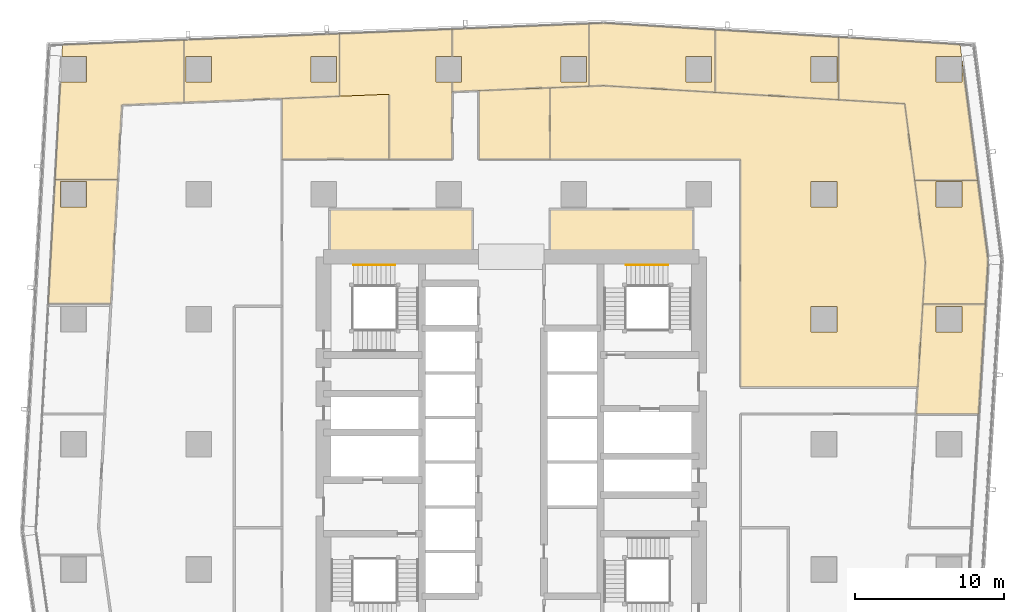
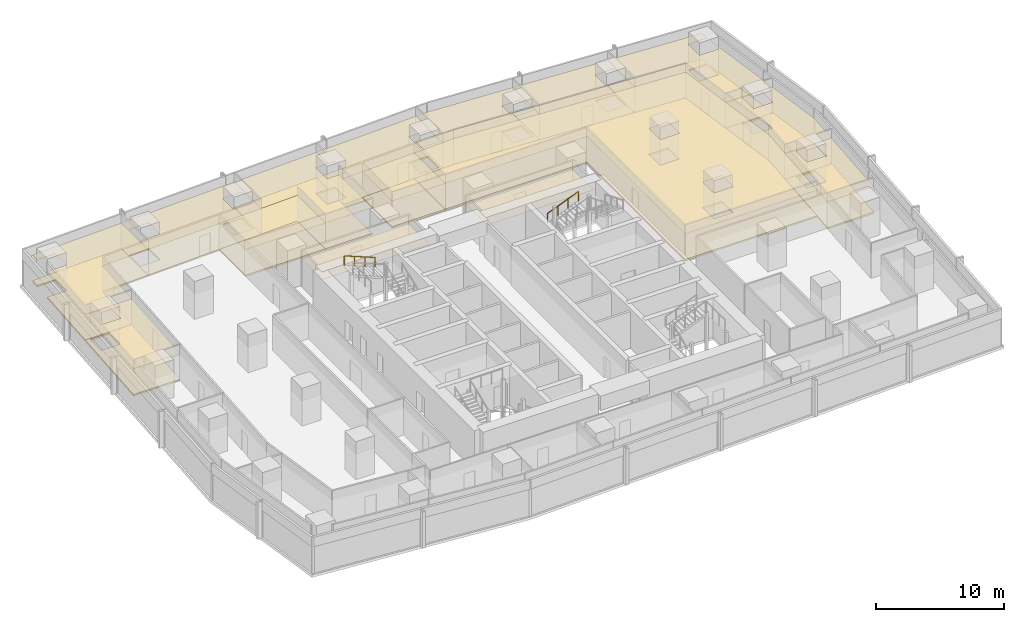
# One storey, part 40 of 40: 28 coverings, 2 railings.
"""IFC4 building model written with IfcOpenShell, lengths in metres."""

from ifc_helpers import new_model, si_unit, direction, frame, origin, origin_2d, place, context, subcontext, project, spatial, polyline, circle, outline, extrude, material, layer, layer_set, type_object, element, save


model = new_model("IFC4")

# Units and contexts
model_context = context("Model", 3, precision=1e-05, world=origin(), true_north=direction((0.0, 1.0)))
body_context = subcontext(model_context, "Body", "Model", "MODEL_VIEW")
ifc_project = project(units=[si_unit("LENGTHUNIT", "METRE"), si_unit("AREAUNIT", "SQUARE_METRE"), si_unit("VOLUMEUNIT", "CUBIC_METRE"), si_unit("PLANEANGLEUNIT", "RADIAN"), si_unit("MASSUNIT", "GRAM", prefix="KILO")], contexts=[model_context])

# Site, building, storey
site_placement = place(None, origin())
site = spatial("IfcSite", under=ifc_project, at=site_placement, CompositionType="ELEMENT")
building_placement = place(site_placement, origin())
building = spatial("IfcBuilding", under=site, at=building_placement, Name="Rekha Terrace Tower", CompositionType="ELEMENT")
storey_placement = place(building_placement, frame((0.0, 0.0, 125.300048828125)))
storey = spatial("IfcBuildingStorey", under=building, at=storey_placement, Name="L31", CompositionType="ELEMENT", Elevation=125.300048828125)

# Coverings
ifc_material_1 = material(Name="Mineral fibre tile in exposed grid", Category="finish")
ifc_layer_1 = layer(ifc_material_1, 0.02001953125)
ifc_layer_set_1 = layer_set([ifc_layer_1], Name="Mineral fibre tile in exposed grid")
covering_type_1 = type_object("IfcCoveringType", Name="CL1 600x1200 office grid ceiling", PredefinedType="CEILING", material=ifc_layer_set_1)
covering_1_placement = place(storey_placement, frame((0.0, 0.0, 2.579833984375)))
element("IfcCovering", 1, at=covering_1_placement, inside=storey, type_object=covering_type_1, Name="Ceiling L31-03", PredefinedType="CEILING", context=body_context, shape_type="SweptSolid", body=[
    extrude(outline(polyline([(69.655029296875, 43.011962890625), (65.447021484375, 43.011962890625), (65.06396484375, 36.760009765625), (64.9951171875, 35.634033203125), (69.202880859375, 35.634033203125), (69.655029296875, 43.011962890625)]), holes=[polyline([(68.06494140625, 41.135009765625), (66.3349609375, 41.135009765625), (66.3349609375, 42.864990234375), (68.06494140625, 42.864990234375), (68.06494140625, 41.135009765625)])]), origin(), (0.0, 0.0, 1.0), 0.02001953125),
])
covering_2_placement = place(storey_placement, frame((0.0, 0.0, 2.579833984375)))
element("IfcCovering", 2, at=covering_2_placement, inside=storey, type_object=covering_type_1, Name="Ceiling L31-04", PredefinedType="CEILING", context=body_context, shape_type="SweptSolid", body=[
    extrude(outline(polyline([(69.8359375, 45.971923828125), (69.136962890625, 51.337890625), (64.902099609375, 51.337890625), (65.618896484375, 45.827880859375), (65.447021484375, 43.012939453125), (69.655029296875, 43.012939453125), (69.8359375, 45.971923828125)]), holes=[polyline([(68.06494140625, 49.534912109375), (66.3349609375, 49.534912109375), (66.3349609375, 51.264892578125), (68.06494140625, 51.264892578125), (68.06494140625, 49.534912109375)])]), origin(), (0.0, 0.0, 1.0), 0.02001953125),
])
covering_3_placement = place(storey_placement, frame((0.0, 0.0, 2.579833984375)))
element("IfcCovering", 3, at=covering_3_placement, inside=storey, type_object=covering_type_1, Name="Ceiling L31-05", PredefinedType="CEILING", context=body_context, shape_type="SweptSolid", body=[
    extrude(outline(polyline([(67.948974609375, 60.462890625), (59.7880859375, 60.952880859375), (59.7880859375, 56.74609375), (64.23193359375, 56.47900390625), (64.902099609375, 51.339111328125), (69.136962890625, 51.339111328125), (68.0849609375, 59.416015625), (68.06494140625, 59.4150390625), (68.06494140625, 57.93505859375), (66.3349609375, 57.93505859375), (66.3349609375, 59.6650390625), (68.052978515625, 59.6650390625), (67.948974609375, 60.462890625)])), origin(), (0.0, 0.0, 1.0), 0.02001953125),
])
covering_4_placement = place(storey_placement, frame((0.0, 0.0, 2.579833984375)))
element("IfcCovering", 4, at=covering_4_placement, inside=storey, type_object=covering_type_1, Name="Ceiling L31-06", PredefinedType="CEILING", context=body_context, shape_type="SweptSolid", body=[
    extrude(outline(polyline([(59.787109375, 56.74609375), (59.787109375, 60.9541015625), (51.4951171875, 61.451904296875), (51.4951171875, 57.243896484375), (59.787109375, 56.74609375)]), holes=[polyline([(59.6650390625, 57.93505859375), (57.93505859375, 57.93505859375), (57.93505859375, 59.6650390625), (59.6650390625, 59.6650390625), (59.6650390625, 57.93505859375)])]), origin(), (0.0, 0.0, 1.0), 0.02001953125),
])
covering_5_placement = place(storey_placement, frame((0.0, 0.0, 2.579833984375)))
element("IfcCovering", 5, at=covering_5_placement, inside=storey, type_object=covering_type_1, Name="Ceiling L31-07", PredefinedType="CEILING", context=body_context, shape_type="SweptSolid", body=[
    extrude(outline(polyline([(44.0380859375, 61.89990234375), (43.02392578125, 61.85888671875), (43.02392578125, 57.656005859375), (43.99609375, 57.695068359375), (51.493896484375, 57.243896484375), (51.493896484375, 61.451904296875), (44.0380859375, 61.89990234375)]), holes=[polyline([(51.264892578125, 57.93505859375), (49.534912109375, 57.93505859375), (49.534912109375, 59.6650390625), (51.264892578125, 59.6650390625), (51.264892578125, 57.93505859375)])]), origin(), (0.0, 0.0, 1.0), 0.02001953125),
])
covering_6_placement = place(storey_placement, frame((0.0, 0.0, 2.579833984375)))
element("IfcCovering", 6, at=covering_6_placement, inside=storey, type_object=covering_type_1, Name="Ceiling L31-08", PredefinedType="CEILING", context=body_context, shape_type="SweptSolid", body=[
    extrude(outline(polyline([(33.827880859375, 57.93505859375), (33.827880859375, 57.287109375), (35.56689453125, 57.35693359375), (35.6259765625, 57.360107421875), (43.02294921875, 57.656005859375), (43.02294921875, 61.85888671875), (33.827880859375, 61.490966796875), (33.827880859375, 59.6650390625), (34.465087890625, 59.6650390625), (34.465087890625, 57.93505859375), (33.827880859375, 57.93505859375)]), holes=[polyline([(42.864990234375, 57.93505859375), (41.135009765625, 57.93505859375), (41.135009765625, 59.6650390625), (42.864990234375, 59.6650390625), (42.864990234375, 57.93505859375)])]), origin(), (0.0, 0.0, 1.0), 0.02001953125),
])
covering_7_placement = place(storey_placement, frame((0.0, 0.0, 2.579833984375)))
element("IfcCovering", 7, at=covering_7_placement, inside=storey, type_object=covering_type_1, Name="Ceiling L31-10", PredefinedType="CEILING", context=body_context, shape_type="SweptSolid", body=[
    extrude(outline(polyline([(26.257080078125, 56.98388671875), (26.257080078125, 61.18701171875), (15.81494140625, 60.76904296875), (15.81494140625, 56.56591796875), (26.257080078125, 56.98388671875)]), holes=[polyline([(26.06494140625, 57.93505859375), (24.3349609375, 57.93505859375), (24.3349609375, 59.6650390625), (26.06494140625, 59.6650390625), (26.06494140625, 57.93505859375)]), polyline([(17.6650390625, 57.93505859375), (15.93505859375, 57.93505859375), (15.93505859375, 59.6650390625), (17.6650390625, 59.6650390625), (17.6650390625, 57.93505859375)])]), origin(), (0.0, 0.0, 1.0), 0.02001953125),
])
covering_8_placement = place(storey_placement, frame((0.0, 0.0, 2.579833984375)))
element("IfcCovering", 8, at=covering_8_placement, inside=storey, type_object=covering_type_1, Name="Ceiling L31-11", PredefinedType="CEILING", context=body_context, shape_type="SweptSolid", body=[
    extrude(outline(polyline([(7.51611328125, 57.93505859375), (7.156005859375, 51.37890625), (11.362060546875, 51.37890625), (11.637939453125, 56.39794921875), (15.81396484375, 56.56591796875), (15.81396484375, 60.76904296875), (7.653076171875, 60.44189453125), (7.610107421875, 59.6650390625), (9.264892578125, 59.6650390625), (9.264892578125, 57.93505859375), (7.51611328125, 57.93505859375)])), origin(), (0.0, 0.0, 1.0), 0.02001953125),
])
covering_9_placement = place(storey_placement, frame((0.0, 0.0, 2.579833984375)))
element("IfcCovering", 9, at=covering_9_placement, inside=storey, type_object=covering_type_1, Name="Ceiling L31-12", PredefinedType="CEILING", context=body_context, shape_type="SweptSolid", body=[
    extrude(outline(polyline([(11.362060546875, 51.3779296875), (7.156005859375, 51.3779296875), (6.698974609375, 43.0458984375), (10.905029296875, 43.0458984375), (11.362060546875, 51.3779296875)]), holes=[polyline([(9.264892578125, 51.264892578125), (9.264892578125, 49.534912109375), (7.534912109375, 49.534912109375), (7.534912109375, 51.264892578125), (9.264892578125, 51.264892578125)])]), origin(), (0.0, 0.0, 1.0), 0.02001953125),
])
covering_10_placement = place(storey_placement, frame((0.0, 0.0, 2.579833984375)))
element("IfcCovering", 10, at=covering_10_placement, inside=storey, type_object=covering_type_1, Name="Ceiling L31-13", PredefinedType="CEILING", context=body_context, shape_type="SweptSolid", body=[
    extrude(outline(polyline([(22.39990234375, 52.75), (29.60009765625, 52.75), (29.60009765625, 57.117919921875), (25.967041015625, 56.971923828125), (22.39990234375, 56.830078125), (22.39990234375, 52.75)])), origin(), (0.0, 0.0, 1.0), 0.02001953125),
])
covering_11_placement = place(storey_placement, frame((0.0, 0.0, 2.579833984375)))
element("IfcCovering", 11, at=covering_11_placement, inside=storey, type_object=covering_type_1, Name="Ceiling L31-14", PredefinedType="CEILING", context=body_context, shape_type="SweptSolid", body=[
    extrude(outline(polyline([(29.60009765625, 52.75), (33.825927734375, 52.75), (33.825927734375, 57.287109375), (33.826904296875, 57.287109375), (33.826904296875, 57.93505859375), (32.735107421875, 57.93505859375), (32.735107421875, 59.6650390625), (33.826904296875, 59.6650390625), (33.826904296875, 61.490966796875), (26.258056640625, 61.18798828125), (26.258056640625, 56.98388671875), (29.60009765625, 57.117919921875), (29.60009765625, 52.75)])), origin(), (0.0, 0.0, 1.0), 0.02001953125),
])
covering_12_placement = place(storey_placement, frame((0.0, 0.0, 2.579833984375)))
element("IfcCovering", 12, at=covering_12_placement, inside=storey, type_object=covering_type_1, Name="Ceiling L31-15", PredefinedType="CEILING", context=body_context, shape_type="SweptSolid", body=[
    extrude(outline(polyline([(40.39990234375, 52.75), (40.39990234375, 57.551025390625), (35.6259765625, 57.360107421875), (35.6259765625, 52.75), (40.39990234375, 52.75)])), origin(), (0.0, 0.0, 1.0), 0.02001953125),
])
covering_13_placement = place(storey_placement, frame((0.0, 0.0, 2.579833984375)))
element("IfcCovering", 13, at=covering_13_placement, inside=storey, type_object=covering_type_1, Name="Ceiling L31-O1", PredefinedType="CEILING", context=body_context, shape_type="SweptSolid", body=[
    extrude(outline(polyline([(43.99609375, 57.695068359375), (43.02392578125, 57.656005859375), (40.39990234375, 57.551025390625), (40.39990234375, 52.75), (53.199951171875, 52.75), (53.199951171875, 37.43701171875), (65.10498046875, 37.43701171875), (65.447021484375, 43.012939453125), (65.618896484375, 45.827880859375), (64.89990234375, 51.35498046875), (64.23193359375, 56.47900390625), (59.787109375, 56.74609375), (51.493896484375, 57.243896484375), (43.99609375, 57.695068359375)]), holes=[polyline([(59.6650390625, 41.135009765625), (57.93505859375, 41.135009765625), (57.93505859375, 42.864990234375), (59.6650390625, 42.864990234375), (59.6650390625, 41.135009765625)]), polyline([(59.6650390625, 49.534912109375), (57.93505859375, 49.534912109375), (57.93505859375, 51.264892578125), (59.6650390625, 51.264892578125), (59.6650390625, 49.534912109375)])]), origin(), (0.0, 0.0, 1.0), 0.02001953125),
])
ifc_material_2 = material(Name="Fibre cement board", Category="finish")
ifc_layer_2 = layer(ifc_material_2, 0.014892578125)
ifc_layer_set_2 = layer_set([ifc_layer_2], Name="Fibre cement board")
covering_type_2 = type_object("IfcCoveringType", Name="CL2 moisture-resistant board ceiling", PredefinedType="CEILING", material=ifc_layer_set_2)
covering_14_placement = place(storey_placement, frame((0.0, 0.0, 2.5849609375)))
element("IfcCovering", 14, at=covering_14_placement, inside=storey, type_object=covering_type_2, Name="Ceiling L31-WCF", PredefinedType="CEILING", context=body_context, shape_type="SweptSolid", body=[
    extrude(outline(polyline([(50.0, 49.39990234375), (40.39990234375, 49.39990234375), (40.39990234375, 46.199951171875), (50.0, 46.199951171875), (50.0, 49.39990234375)])), origin(), (0.0, 0.0, 1.0), 0.014892578125),
])
covering_15_placement = place(storey_placement, frame((0.0, 0.0, 2.5849609375)))
element("IfcCovering", 15, at=covering_15_placement, inside=storey, type_object=covering_type_2, Name="Ceiling L31-WCF2", PredefinedType="CEILING", context=body_context, shape_type="SweptSolid", body=[
    extrude(outline(polyline([(35.199951171875, 49.39990234375), (25.60009765625, 49.39990234375), (25.60009765625, 46.199951171875), (35.199951171875, 46.199951171875), (35.199951171875, 49.39990234375)])), origin(), (0.0, 0.0, 1.0), 0.014892578125),
])

# Railings
ifc_material_3 = material(Name="Stainless steel tube", Category="steel")
railing_type = type_object("IfcRailingType", Name="HR1 900 stair handrail", PredefinedType="HANDRAIL", material=ifc_material_3)
railing_1_placement = place(storey_placement, frame((45.52490234375, 45.639892578125, 1.375)))
element("IfcRailing", 16, at=railing_1_placement, inside=storey, type_object=railing_type, Name="Handrail ST2 L31 flight 2", PredefinedType="HANDRAIL", context=body_context, shape_type="SweptSolid", body=[
    extrude(circle(Radius=0.02392578125, at=origin_2d()), frame((0.0, 0.0, 0.8759765625), z_axis=(0.927443287984, 0.0, 0.373963831907), x_axis=(0.0, 1.0, 0.0)), (0.0, 0.0, 1.0), 3.00830078125),
    extrude(circle(Radius=0.02099609375, at=origin_2d()), origin(), (0.0, 0.0, 1.0), 0.851806640625),
    extrude(circle(Radius=0.02099609375, at=origin_2d()), frame((0.929931640625, 0.0, 0.375)), (0.0, 0.0, 1.0), 0.851806640625),
    extrude(circle(Radius=0.02099609375, at=origin_2d()), frame((1.860107421875, 0.0, 0.75)), (0.0, 0.0, 1.0), 0.851806640625),
    extrude(circle(Radius=0.02099609375, at=origin_2d()), frame((2.7900390625, 0.0, 1.125)), (0.0, 0.0, 1.0), 0.851806640625),
])
railing_2_placement = place(storey_placement, frame((29.989990234375, 45.639892578125, 2.625)))
element("IfcRailing", 17, at=railing_2_placement, inside=storey, type_object=railing_type, Name="Handrail ST4 L31 flight 3", PredefinedType="HANDRAIL", context=body_context, shape_type="SweptSolid", body=[
    extrude(circle(Radius=0.02392578125, at=origin_2d()), frame((0.0, 0.0, 0.8759765625), z_axis=(-0.927443287984, 0.0, 0.373963831907), x_axis=(0.0, -1.0, 0.0)), (0.0, 0.0, 1.0), 3.00830078125),
    extrude(circle(Radius=0.02099609375, at=origin_2d()), origin(), (0.0, 0.0, 1.0), 0.851806640625),
    extrude(circle(Radius=0.02099609375, at=origin_2d()), frame((-0.929931640625, 0.0, 0.375)), (0.0, 0.0, 1.0), 0.851806640625),
    extrude(circle(Radius=0.02099609375, at=origin_2d()), frame((-1.860107421875, 0.0, 0.75)), (0.0, 0.0, 1.0), 0.851806640625),
    extrude(circle(Radius=0.02099609375, at=origin_2d()), frame((-2.7900390625, 0.0, 1.125)), (0.0, 0.0, 1.0), 0.851806640625),
])

# Coverings
ifc_material_4 = material(Name="Calcium sulphate panels on steel pedestals", Category="steel")
ifc_layer_3 = layer(ifc_material_4, 0.14990234375)
ifc_layer_set_3 = layer_set([ifc_layer_3], Name="Calcium sulphate panels on steel pedestals")
covering_type_3 = type_object("IfcCoveringType", Name="RF1 150 raised access floor", PredefinedType="FLOORING", material=ifc_layer_set_3)
covering_16_placement = place(storey_placement, origin())
element("IfcCovering", 18, at=covering_16_placement, inside=storey, type_object=covering_type_3, Name="Raised floor L31-03", PredefinedType="FLOORING", context=body_context, shape_type="SweptSolid", body=[
    extrude(outline(polyline([(69.655029296875, 43.011962890625), (65.447021484375, 43.011962890625), (65.06396484375, 36.760009765625), (64.9951171875, 35.634033203125), (69.202880859375, 35.634033203125), (69.655029296875, 43.011962890625)]), holes=[polyline([(68.06494140625, 41.135009765625), (66.3349609375, 41.135009765625), (66.3349609375, 42.864990234375), (68.06494140625, 42.864990234375), (68.06494140625, 41.135009765625)])]), origin(), (0.0, 0.0, 1.0), 0.14990234375),
])
covering_17_placement = place(storey_placement, origin())
element("IfcCovering", 19, at=covering_17_placement, inside=storey, type_object=covering_type_3, Name="Raised floor L31-04", PredefinedType="FLOORING", context=body_context, shape_type="SweptSolid", body=[
    extrude(outline(polyline([(69.8359375, 45.971923828125), (69.136962890625, 51.337890625), (64.902099609375, 51.337890625), (65.618896484375, 45.827880859375), (65.447021484375, 43.012939453125), (69.655029296875, 43.012939453125), (69.8359375, 45.971923828125)]), holes=[polyline([(68.06494140625, 49.534912109375), (66.3349609375, 49.534912109375), (66.3349609375, 51.264892578125), (68.06494140625, 51.264892578125), (68.06494140625, 49.534912109375)])]), origin(), (0.0, 0.0, 1.0), 0.14990234375),
])
covering_18_placement = place(storey_placement, origin())
element("IfcCovering", 20, at=covering_18_placement, inside=storey, type_object=covering_type_3, Name="Raised floor L31-05", PredefinedType="FLOORING", context=body_context, shape_type="SweptSolid", body=[
    extrude(outline(polyline([(67.948974609375, 60.462890625), (59.7880859375, 60.952880859375), (59.7880859375, 56.74609375), (64.23193359375, 56.47900390625), (64.902099609375, 51.339111328125), (69.136962890625, 51.339111328125), (68.0849609375, 59.416015625), (68.06494140625, 59.4150390625), (68.06494140625, 57.93505859375), (66.3349609375, 57.93505859375), (66.3349609375, 59.6650390625), (68.052978515625, 59.6650390625), (67.948974609375, 60.462890625)])), origin(), (0.0, 0.0, 1.0), 0.14990234375),
])
covering_19_placement = place(storey_placement, origin())
element("IfcCovering", 21, at=covering_19_placement, inside=storey, type_object=covering_type_3, Name="Raised floor L31-06", PredefinedType="FLOORING", context=body_context, shape_type="SweptSolid", body=[
    extrude(outline(polyline([(59.787109375, 56.74609375), (59.787109375, 60.9541015625), (51.4951171875, 61.451904296875), (51.4951171875, 57.243896484375), (59.787109375, 56.74609375)]), holes=[polyline([(59.6650390625, 57.93505859375), (57.93505859375, 57.93505859375), (57.93505859375, 59.6650390625), (59.6650390625, 59.6650390625), (59.6650390625, 57.93505859375)])]), origin(), (0.0, 0.0, 1.0), 0.14990234375),
])
covering_20_placement = place(storey_placement, origin())
element("IfcCovering", 22, at=covering_20_placement, inside=storey, type_object=covering_type_3, Name="Raised floor L31-07", PredefinedType="FLOORING", context=body_context, shape_type="SweptSolid", body=[
    extrude(outline(polyline([(44.0380859375, 61.89990234375), (43.02392578125, 61.85888671875), (43.02392578125, 57.656005859375), (43.99609375, 57.695068359375), (51.493896484375, 57.243896484375), (51.493896484375, 61.451904296875), (44.0380859375, 61.89990234375)]), holes=[polyline([(51.264892578125, 57.93505859375), (49.534912109375, 57.93505859375), (49.534912109375, 59.6650390625), (51.264892578125, 59.6650390625), (51.264892578125, 57.93505859375)])]), origin(), (0.0, 0.0, 1.0), 0.14990234375),
])
covering_21_placement = place(storey_placement, origin())
element("IfcCovering", 23, at=covering_21_placement, inside=storey, type_object=covering_type_3, Name="Raised floor L31-08", PredefinedType="FLOORING", context=body_context, shape_type="SweptSolid", body=[
    extrude(outline(polyline([(33.827880859375, 57.93505859375), (33.827880859375, 57.287109375), (35.56689453125, 57.35693359375), (35.6259765625, 57.360107421875), (43.02294921875, 57.656005859375), (43.02294921875, 61.85888671875), (33.827880859375, 61.490966796875), (33.827880859375, 59.6650390625), (34.465087890625, 59.6650390625), (34.465087890625, 57.93505859375), (33.827880859375, 57.93505859375)]), holes=[polyline([(42.864990234375, 57.93505859375), (41.135009765625, 57.93505859375), (41.135009765625, 59.6650390625), (42.864990234375, 59.6650390625), (42.864990234375, 57.93505859375)])]), origin(), (0.0, 0.0, 1.0), 0.14990234375),
])
covering_22_placement = place(storey_placement, origin())
element("IfcCovering", 24, at=covering_22_placement, inside=storey, type_object=covering_type_3, Name="Raised floor L31-10", PredefinedType="FLOORING", context=body_context, shape_type="SweptSolid", body=[
    extrude(outline(polyline([(26.257080078125, 56.98388671875), (26.257080078125, 61.18701171875), (15.81494140625, 60.76904296875), (15.81494140625, 56.56591796875), (26.257080078125, 56.98388671875)]), holes=[polyline([(26.06494140625, 57.93505859375), (24.3349609375, 57.93505859375), (24.3349609375, 59.6650390625), (26.06494140625, 59.6650390625), (26.06494140625, 57.93505859375)]), polyline([(17.6650390625, 57.93505859375), (15.93505859375, 57.93505859375), (15.93505859375, 59.6650390625), (17.6650390625, 59.6650390625), (17.6650390625, 57.93505859375)])]), origin(), (0.0, 0.0, 1.0), 0.14990234375),
])
covering_23_placement = place(storey_placement, origin())
element("IfcCovering", 25, at=covering_23_placement, inside=storey, type_object=covering_type_3, Name="Raised floor L31-11", PredefinedType="FLOORING", context=body_context, shape_type="SweptSolid", body=[
    extrude(outline(polyline([(7.51611328125, 57.93505859375), (7.156005859375, 51.37890625), (11.362060546875, 51.37890625), (11.637939453125, 56.39794921875), (15.81396484375, 56.56591796875), (15.81396484375, 60.76904296875), (7.653076171875, 60.44189453125), (7.610107421875, 59.6650390625), (9.264892578125, 59.6650390625), (9.264892578125, 57.93505859375), (7.51611328125, 57.93505859375)])), origin(), (0.0, 0.0, 1.0), 0.14990234375),
])
covering_24_placement = place(storey_placement, origin())
element("IfcCovering", 26, at=covering_24_placement, inside=storey, type_object=covering_type_3, Name="Raised floor L31-12", PredefinedType="FLOORING", context=body_context, shape_type="SweptSolid", body=[
    extrude(outline(polyline([(11.362060546875, 51.3779296875), (7.156005859375, 51.3779296875), (6.698974609375, 43.0458984375), (10.905029296875, 43.0458984375), (11.362060546875, 51.3779296875)]), holes=[polyline([(9.264892578125, 51.264892578125), (9.264892578125, 49.534912109375), (7.534912109375, 49.534912109375), (7.534912109375, 51.264892578125), (9.264892578125, 51.264892578125)])]), origin(), (0.0, 0.0, 1.0), 0.14990234375),
])
covering_25_placement = place(storey_placement, origin())
element("IfcCovering", 27, at=covering_25_placement, inside=storey, type_object=covering_type_3, Name="Raised floor L31-13", PredefinedType="FLOORING", context=body_context, shape_type="SweptSolid", body=[
    extrude(outline(polyline([(22.39990234375, 52.75), (29.60009765625, 52.75), (29.60009765625, 57.117919921875), (25.967041015625, 56.971923828125), (22.39990234375, 56.830078125), (22.39990234375, 52.75)])), origin(), (0.0, 0.0, 1.0), 0.14990234375),
])
covering_26_placement = place(storey_placement, origin())
element("IfcCovering", 28, at=covering_26_placement, inside=storey, type_object=covering_type_3, Name="Raised floor L31-14", PredefinedType="FLOORING", context=body_context, shape_type="SweptSolid", body=[
    extrude(outline(polyline([(29.60009765625, 52.75), (33.825927734375, 52.75), (33.825927734375, 57.287109375), (33.826904296875, 57.287109375), (33.826904296875, 57.93505859375), (32.735107421875, 57.93505859375), (32.735107421875, 59.6650390625), (33.826904296875, 59.6650390625), (33.826904296875, 61.490966796875), (26.258056640625, 61.18798828125), (26.258056640625, 56.98388671875), (29.60009765625, 57.117919921875), (29.60009765625, 52.75)])), origin(), (0.0, 0.0, 1.0), 0.14990234375),
])
covering_27_placement = place(storey_placement, origin())
element("IfcCovering", 29, at=covering_27_placement, inside=storey, type_object=covering_type_3, Name="Raised floor L31-15", PredefinedType="FLOORING", context=body_context, shape_type="SweptSolid", body=[
    extrude(outline(polyline([(40.39990234375, 52.75), (40.39990234375, 57.551025390625), (35.6259765625, 57.360107421875), (35.6259765625, 52.75), (40.39990234375, 52.75)])), origin(), (0.0, 0.0, 1.0), 0.14990234375),
])
covering_28_placement = place(storey_placement, origin())
element("IfcCovering", 30, at=covering_28_placement, inside=storey, type_object=covering_type_3, Name="Raised floor L31-O1", PredefinedType="FLOORING", context=body_context, shape_type="SweptSolid", body=[
    extrude(outline(polyline([(43.99609375, 57.695068359375), (43.02392578125, 57.656005859375), (40.39990234375, 57.551025390625), (40.39990234375, 52.75), (53.199951171875, 52.75), (53.199951171875, 37.43701171875), (65.10498046875, 37.43701171875), (65.447021484375, 43.012939453125), (65.618896484375, 45.827880859375), (64.89990234375, 51.35498046875), (64.23193359375, 56.47900390625), (59.787109375, 56.74609375), (51.493896484375, 57.243896484375), (43.99609375, 57.695068359375)]), holes=[polyline([(59.6650390625, 41.135009765625), (57.93505859375, 41.135009765625), (57.93505859375, 42.864990234375), (59.6650390625, 42.864990234375), (59.6650390625, 41.135009765625)]), polyline([(59.6650390625, 49.534912109375), (57.93505859375, 49.534912109375), (57.93505859375, 51.264892578125), (59.6650390625, 51.264892578125), (59.6650390625, 49.534912109375)])]), origin(), (0.0, 0.0, 1.0), 0.14990234375),
])

save(model, "model.ifc")
